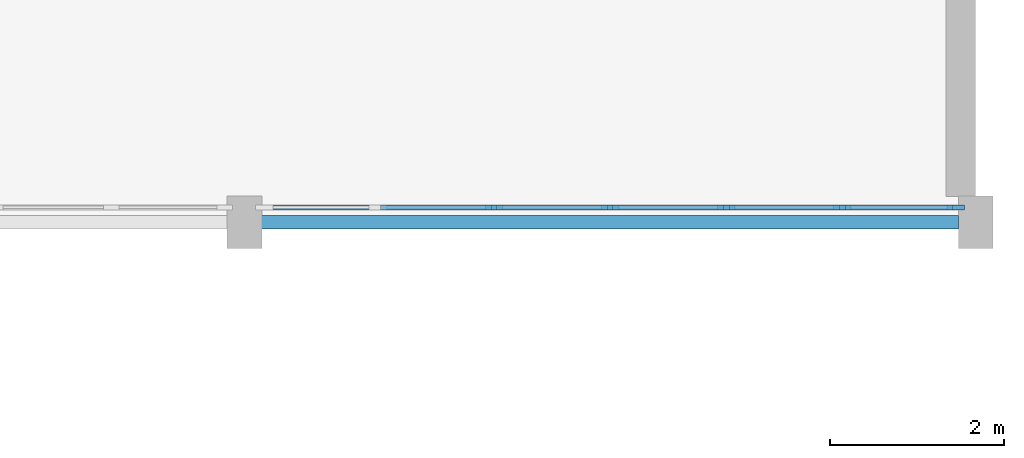
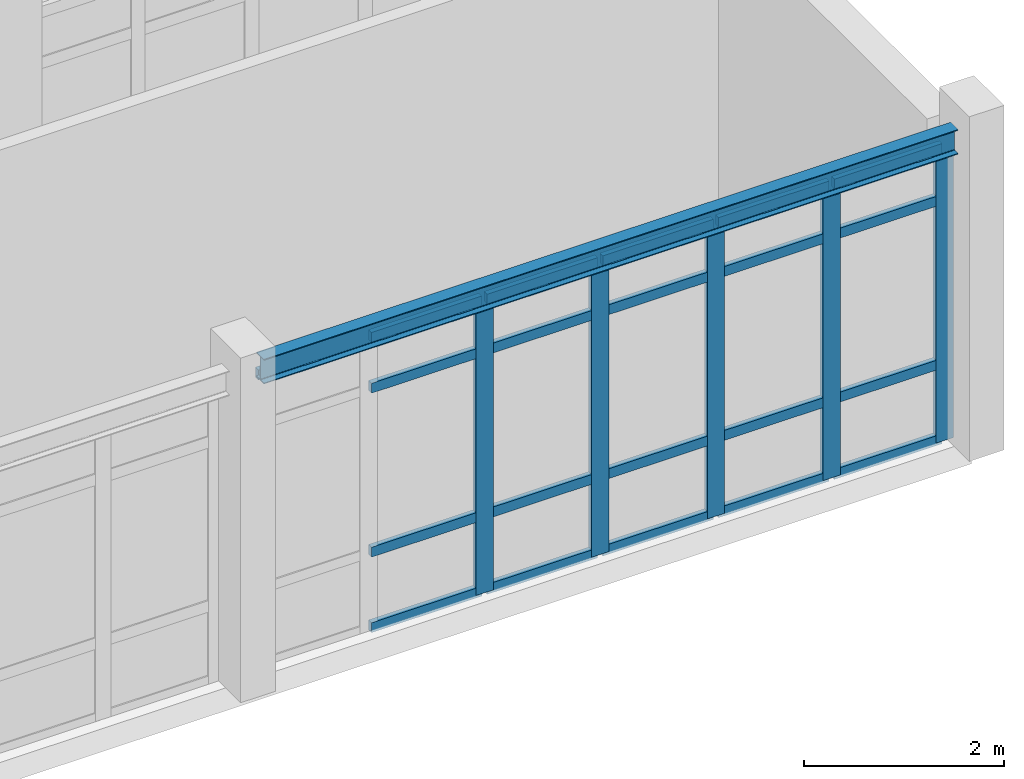
# One storey, part 82 of 147: 26 members, 1 beam, 1 element without a shape of its own.
"""IFC4 building model written with IfcOpenShell, lengths in metres."""

from ifc_helpers import new_model, si_unit, direction, frame, origin, origin_2d, place, context, subcontext, project, spatial, rectangle, i_section, extrude, material, material_profile, profile_set, type_object, element, aggregate, save


model = new_model("IFC4")

# Units and contexts
model_context = context("Model", 3, precision=1e-05, world=origin(), true_north=direction((0.0, 1.0)))
body_context = subcontext(model_context, "Body", "Model", "MODEL_VIEW")
ifc_project = project(units=[si_unit("LENGTHUNIT", "METRE"), si_unit("AREAUNIT", "SQUARE_METRE"), si_unit("VOLUMEUNIT", "CUBIC_METRE"), si_unit("PLANEANGLEUNIT", "RADIAN"), si_unit("MASSUNIT", "GRAM", prefix="KILO")], contexts=[model_context])

# Site, building, storey
site_placement = place(None, origin())
site = spatial("IfcSite", under=ifc_project, at=site_placement, CompositionType="ELEMENT")
building_placement = place(site_placement, origin())
building = spatial("IfcBuilding", under=site, at=building_placement, Name="Malvenik Polytechnic", CompositionType="ELEMENT")
storey_placement = place(building_placement, frame((0.0, 0.0, 5.10009765625)))
storey = spatial("IfcBuildingStorey", under=building, at=storey_placement, Name="L01", CompositionType="ELEMENT", Elevation=5.10009765625)

# Curtain wall, members
ifc_material_1 = material(Name="Anodised aluminium 6060-T6", Category="aluminium")
curtain_wall_type = type_object("IfcCurtainWallType", Name="ARC-CW-CW-02", PredefinedType="NOTDEFINED", material=ifc_material_1)
curtain_wall_placement = place(storey_placement, origin())
curtain_wall = element("IfcCurtainWall", 1, at=curtain_wall_placement, inside=storey, type_object=curtain_wall_type, Name="Unitised Curtain Wall CW-02 L01 #105", PredefinedType="NOTDEFINED")
ifc_material_2 = material(Name="Anodised aluminium", Category="aluminium")
ifc_material_profile_1 = material_profile(ifc_material_2, rectangle(XDim=0.06005859375, YDim=0.199951171875, at=origin_2d()), Name="ALU MULLION 60x200")
ifc_profile_set_1 = profile_set([ifc_material_profile_1], Name="Anodised aluminium")
member_type_1 = type_object("IfcMemberType", Name="ARC-CWM-200", PredefinedType="MULLION", material=ifc_profile_set_1)
member_1_placement = place(storey_placement, frame((184.572021484375, 28.969970703125, 0.0), z_axis=(0.0, 0.0, 1.0), x_axis=(0.0, -1.0, 0.0)))
member_1 = element("IfcMember", 2, at=member_1_placement, type_object=member_type_1, Name="CW-02 mullion 1", PredefinedType="MULLION", context=body_context, shape_type="SweptSolid", body=[
    extrude(rectangle(XDim=0.06005859375, YDim=0.199951171875, at=origin_2d()), origin(), (0.0, 0.0, 1.0), 3.597900390625),
])
member_2_placement = place(storey_placement, frame((183.26806640625, 28.969970703125, 0.0), z_axis=(0.0, 0.0, 1.0), x_axis=(0.0, -1.0, 0.0)))
member_2 = element("IfcMember", 3, at=member_2_placement, type_object=member_type_1, Name="CW-02 mullion 2", PredefinedType="MULLION", context=body_context, shape_type="SweptSolid", body=[
    extrude(rectangle(XDim=0.06005859375, YDim=0.199951171875, at=origin_2d()), origin(), (0.0, 0.0, 1.0), 3.597900390625),
])
member_3_placement = place(storey_placement, frame((181.93408203125, 28.969970703125, 0.0), z_axis=(0.0, 0.0, 1.0), x_axis=(0.0, -1.0, 0.0)))
member_3 = element("IfcMember", 4, at=member_3_placement, type_object=member_type_1, Name="CW-02 mullion 3", PredefinedType="MULLION", context=body_context, shape_type="SweptSolid", body=[
    extrude(rectangle(XDim=0.06005859375, YDim=0.199951171875, at=origin_2d()), origin(), (0.0, 0.0, 1.0), 3.597900390625),
])
member_4_placement = place(storey_placement, frame((180.60009765625, 28.969970703125, 0.0), z_axis=(0.0, 0.0, 1.0), x_axis=(0.0, -1.0, 0.0)))
member_4 = element("IfcMember", 5, at=member_4_placement, type_object=member_type_1, Name="CW-02 mullion 4", PredefinedType="MULLION", context=body_context, shape_type="SweptSolid", body=[
    extrude(rectangle(XDim=0.06005859375, YDim=0.199951171875, at=origin_2d()), origin(), (0.0, 0.0, 1.0), 3.597900390625),
])
member_5_placement = place(storey_placement, frame((179.26611328125, 28.969970703125, 0.0), z_axis=(0.0, 0.0, 1.0), x_axis=(0.0, -1.0, 0.0)))
member_5 = element("IfcMember", 6, at=member_5_placement, type_object=member_type_1, Name="CW-02 mullion 5", PredefinedType="MULLION", context=body_context, shape_type="SweptSolid", body=[
    extrude(rectangle(XDim=0.06005859375, YDim=0.199951171875, at=origin_2d()), origin(), (0.0, 0.0, 1.0), 3.597900390625),
])
ifc_material_profile_2 = material_profile(ifc_material_2, rectangle(XDim=0.06005859375, YDim=0.1201171875, at=origin_2d()), Name="ALU TRANSOM 60x120")
ifc_profile_set_2 = profile_set([ifc_material_profile_2], Name="Anodised aluminium")
member_type_2 = type_object("IfcMemberType", Name="ARC-CWT-120", PredefinedType="USERDEFINED", material=ifc_profile_set_2)
member_6_placement = place(storey_placement, frame((184.5419921875, 28.969970703125, 0.02978515625), z_axis=(-1.0, 0.0, 0.0), x_axis=(0.0, -1.0, 0.0)))
member_6 = element("IfcMember", 7, at=member_6_placement, type_object=member_type_2, Name="CW-02 transom 1.1", ObjectType="TRANSOM", PredefinedType="USERDEFINED", context=body_context, shape_type="SweptSolid", body=[
    extrude(rectangle(XDim=0.06005859375, YDim=0.1201171875, at=origin_2d()), origin(), (0.0, 0.0, 1.0), 1.243896484375),
])
member_7_placement = place(storey_placement, frame((184.5419921875, 28.969970703125, 0.949951171875), z_axis=(-1.0, 0.0, 0.0), x_axis=(0.0, -1.0, 0.0)))
member_7 = element("IfcMember", 8, at=member_7_placement, type_object=member_type_2, Name="CW-02 transom 1.2", ObjectType="TRANSOM", PredefinedType="USERDEFINED", context=body_context, shape_type="SweptSolid", body=[
    extrude(rectangle(XDim=0.06005859375, YDim=0.1201171875, at=origin_2d()), origin(), (0.0, 0.0, 1.0), 1.243896484375),
])
member_8_placement = place(storey_placement, frame((184.5419921875, 28.969970703125, 2.947998046875), z_axis=(-1.0, 0.0, 0.0), x_axis=(0.0, -1.0, 0.0)))
member_8 = element("IfcMember", 9, at=member_8_placement, type_object=member_type_2, Name="CW-02 transom 1.3", ObjectType="TRANSOM", PredefinedType="USERDEFINED", context=body_context, shape_type="SweptSolid", body=[
    extrude(rectangle(XDim=0.06005859375, YDim=0.1201171875, at=origin_2d()), origin(), (0.0, 0.0, 1.0), 1.243896484375),
])
member_9_placement = place(storey_placement, frame((184.5419921875, 28.969970703125, 3.56787109375), z_axis=(-1.0, 0.0, 0.0), x_axis=(0.0, -1.0, 0.0)))
member_9 = element("IfcMember", 10, at=member_9_placement, type_object=member_type_2, Name="CW-02 transom 1.4", ObjectType="TRANSOM", PredefinedType="USERDEFINED", context=body_context, shape_type="SweptSolid", body=[
    extrude(rectangle(XDim=0.06005859375, YDim=0.1201171875, at=origin_2d()), origin(), (0.0, 0.0, 1.0), 1.243896484375),
])
member_10_placement = place(storey_placement, frame((183.238037109375, 28.969970703125, 0.02978515625), z_axis=(-1.0, 0.0, 0.0), x_axis=(0.0, -1.0, 0.0)))
member_10 = element("IfcMember", 11, at=member_10_placement, type_object=member_type_2, Name="CW-02 transom 2.1", ObjectType="TRANSOM", PredefinedType="USERDEFINED", context=body_context, shape_type="SweptSolid", body=[
    extrude(rectangle(XDim=0.06005859375, YDim=0.1201171875, at=origin_2d()), origin(), (0.0, 0.0, 1.0), 1.27392578125),
])
member_11_placement = place(storey_placement, frame((183.238037109375, 28.969970703125, 0.949951171875), z_axis=(-1.0, 0.0, 0.0), x_axis=(0.0, -1.0, 0.0)))
member_11 = element("IfcMember", 12, at=member_11_placement, type_object=member_type_2, Name="CW-02 transom 2.2", ObjectType="TRANSOM", PredefinedType="USERDEFINED", context=body_context, shape_type="SweptSolid", body=[
    extrude(rectangle(XDim=0.06005859375, YDim=0.1201171875, at=origin_2d()), origin(), (0.0, 0.0, 1.0), 1.27392578125),
])
member_12_placement = place(storey_placement, frame((183.238037109375, 28.969970703125, 2.947998046875), z_axis=(-1.0, 0.0, 0.0), x_axis=(0.0, -1.0, 0.0)))
member_12 = element("IfcMember", 13, at=member_12_placement, type_object=member_type_2, Name="CW-02 transom 2.3", ObjectType="TRANSOM", PredefinedType="USERDEFINED", context=body_context, shape_type="SweptSolid", body=[
    extrude(rectangle(XDim=0.06005859375, YDim=0.1201171875, at=origin_2d()), origin(), (0.0, 0.0, 1.0), 1.27392578125),
])
member_13_placement = place(storey_placement, frame((183.238037109375, 28.969970703125, 3.56787109375), z_axis=(-1.0, 0.0, 0.0), x_axis=(0.0, -1.0, 0.0)))
member_13 = element("IfcMember", 14, at=member_13_placement, type_object=member_type_2, Name="CW-02 transom 2.4", ObjectType="TRANSOM", PredefinedType="USERDEFINED", context=body_context, shape_type="SweptSolid", body=[
    extrude(rectangle(XDim=0.06005859375, YDim=0.1201171875, at=origin_2d()), origin(), (0.0, 0.0, 1.0), 1.27392578125),
])
member_14_placement = place(storey_placement, frame((181.904052734375, 28.969970703125, 0.02978515625), z_axis=(-1.0, 0.0, 0.0), x_axis=(0.0, -1.0, 0.0)))
member_14 = element("IfcMember", 15, at=member_14_placement, type_object=member_type_2, Name="CW-02 transom 3.1", ObjectType="TRANSOM", PredefinedType="USERDEFINED", context=body_context, shape_type="SweptSolid", body=[
    extrude(rectangle(XDim=0.06005859375, YDim=0.1201171875, at=origin_2d()), origin(), (0.0, 0.0, 1.0), 1.274169921875),
])
member_15_placement = place(storey_placement, frame((181.904052734375, 28.969970703125, 0.949951171875), z_axis=(-1.0, 0.0, 0.0), x_axis=(0.0, -1.0, 0.0)))
member_15 = element("IfcMember", 16, at=member_15_placement, type_object=member_type_2, Name="CW-02 transom 3.2", ObjectType="TRANSOM", PredefinedType="USERDEFINED", context=body_context, shape_type="SweptSolid", body=[
    extrude(rectangle(XDim=0.06005859375, YDim=0.1201171875, at=origin_2d()), origin(), (0.0, 0.0, 1.0), 1.274169921875),
])
member_16_placement = place(storey_placement, frame((181.904052734375, 28.969970703125, 2.947998046875), z_axis=(-1.0, 0.0, 0.0), x_axis=(0.0, -1.0, 0.0)))
member_16 = element("IfcMember", 17, at=member_16_placement, type_object=member_type_2, Name="CW-02 transom 3.3", ObjectType="TRANSOM", PredefinedType="USERDEFINED", context=body_context, shape_type="SweptSolid", body=[
    extrude(rectangle(XDim=0.06005859375, YDim=0.1201171875, at=origin_2d()), origin(), (0.0, 0.0, 1.0), 1.274169921875),
])
member_17_placement = place(storey_placement, frame((181.904052734375, 28.969970703125, 3.56787109375), z_axis=(-1.0, 0.0, 0.0), x_axis=(0.0, -1.0, 0.0)))
member_17 = element("IfcMember", 18, at=member_17_placement, type_object=member_type_2, Name="CW-02 transom 3.4", ObjectType="TRANSOM", PredefinedType="USERDEFINED", context=body_context, shape_type="SweptSolid", body=[
    extrude(rectangle(XDim=0.06005859375, YDim=0.1201171875, at=origin_2d()), origin(), (0.0, 0.0, 1.0), 1.274169921875),
])
member_18_placement = place(storey_placement, frame((180.570068359375, 28.969970703125, 0.02978515625), z_axis=(-1.0, 0.0, 0.0), x_axis=(0.0, -1.0, 0.0)))
member_18 = element("IfcMember", 19, at=member_18_placement, type_object=member_type_2, Name="CW-02 transom 4.1", ObjectType="TRANSOM", PredefinedType="USERDEFINED", context=body_context, shape_type="SweptSolid", body=[
    extrude(rectangle(XDim=0.06005859375, YDim=0.1201171875, at=origin_2d()), origin(), (0.0, 0.0, 1.0), 1.274169921875),
])
member_19_placement = place(storey_placement, frame((180.570068359375, 28.969970703125, 0.949951171875), z_axis=(-1.0, 0.0, 0.0), x_axis=(0.0, -1.0, 0.0)))
member_19 = element("IfcMember", 20, at=member_19_placement, type_object=member_type_2, Name="CW-02 transom 4.2", ObjectType="TRANSOM", PredefinedType="USERDEFINED", context=body_context, shape_type="SweptSolid", body=[
    extrude(rectangle(XDim=0.06005859375, YDim=0.1201171875, at=origin_2d()), origin(), (0.0, 0.0, 1.0), 1.274169921875),
])
member_20_placement = place(storey_placement, frame((180.570068359375, 28.969970703125, 2.947998046875), z_axis=(-1.0, 0.0, 0.0), x_axis=(0.0, -1.0, 0.0)))
member_20 = element("IfcMember", 21, at=member_20_placement, type_object=member_type_2, Name="CW-02 transom 4.3", ObjectType="TRANSOM", PredefinedType="USERDEFINED", context=body_context, shape_type="SweptSolid", body=[
    extrude(rectangle(XDim=0.06005859375, YDim=0.1201171875, at=origin_2d()), origin(), (0.0, 0.0, 1.0), 1.274169921875),
])
member_21_placement = place(storey_placement, frame((180.570068359375, 28.969970703125, 3.56787109375), z_axis=(-1.0, 0.0, 0.0), x_axis=(0.0, -1.0, 0.0)))
member_21 = element("IfcMember", 22, at=member_21_placement, type_object=member_type_2, Name="CW-02 transom 4.4", ObjectType="TRANSOM", PredefinedType="USERDEFINED", context=body_context, shape_type="SweptSolid", body=[
    extrude(rectangle(XDim=0.06005859375, YDim=0.1201171875, at=origin_2d()), origin(), (0.0, 0.0, 1.0), 1.274169921875),
])
member_22_placement = place(storey_placement, frame((179.236083984375, 28.969970703125, 0.02978515625), z_axis=(-1.0, 0.0, 0.0), x_axis=(0.0, -1.0, 0.0)))
member_22 = element("IfcMember", 23, at=member_22_placement, type_object=member_type_2, Name="CW-02 transom 5.1", ObjectType="TRANSOM", PredefinedType="USERDEFINED", context=body_context, shape_type="SweptSolid", body=[
    extrude(rectangle(XDim=0.06005859375, YDim=0.1201171875, at=origin_2d()), origin(), (0.0, 0.0, 1.0), 1.274169921875),
])
member_23_placement = place(storey_placement, frame((179.236083984375, 28.969970703125, 0.949951171875), z_axis=(-1.0, 0.0, 0.0), x_axis=(0.0, -1.0, 0.0)))
member_23 = element("IfcMember", 24, at=member_23_placement, type_object=member_type_2, Name="CW-02 transom 5.2", ObjectType="TRANSOM", PredefinedType="USERDEFINED", context=body_context, shape_type="SweptSolid", body=[
    extrude(rectangle(XDim=0.06005859375, YDim=0.1201171875, at=origin_2d()), origin(), (0.0, 0.0, 1.0), 1.274169921875),
])
member_24_placement = place(storey_placement, frame((179.236083984375, 28.969970703125, 2.947998046875), z_axis=(-1.0, 0.0, 0.0), x_axis=(0.0, -1.0, 0.0)))
member_24 = element("IfcMember", 25, at=member_24_placement, type_object=member_type_2, Name="CW-02 transom 5.3", ObjectType="TRANSOM", PredefinedType="USERDEFINED", context=body_context, shape_type="SweptSolid", body=[
    extrude(rectangle(XDim=0.06005859375, YDim=0.1201171875, at=origin_2d()), origin(), (0.0, 0.0, 1.0), 1.274169921875),
])
member_25_placement = place(storey_placement, frame((179.236083984375, 28.969970703125, 3.56787109375), z_axis=(-1.0, 0.0, 0.0), x_axis=(0.0, -1.0, 0.0)))
member_25 = element("IfcMember", 26, at=member_25_placement, type_object=member_type_2, Name="CW-02 transom 5.4", ObjectType="TRANSOM", PredefinedType="USERDEFINED", context=body_context, shape_type="SweptSolid", body=[
    extrude(rectangle(XDim=0.06005859375, YDim=0.1201171875, at=origin_2d()), origin(), (0.0, 0.0, 1.0), 1.274169921875),
])
member_26_placement = place(storey_placement, frame((177.902099609375, 28.969970703125, 3.56787109375), z_axis=(-1.0, 0.0, 0.0), x_axis=(0.0, -1.0, 0.0)))
member_26 = element("IfcMember", 27, at=member_26_placement, type_object=member_type_2, Name="CW-02 transom 6.4", ObjectType="TRANSOM", PredefinedType="USERDEFINED", context=body_context, shape_type="SweptSolid", body=[
    extrude(rectangle(XDim=0.06005859375, YDim=0.1201171875, at=origin_2d()), origin(), (0.0, 0.0, 1.0), 1.244140625),
])
aggregate(curtain_wall, [member_1, member_2, member_3, member_4, member_5, member_6, member_7, member_8, member_9, member_10, member_11, member_12, member_13, member_14, member_15, member_16, member_17, member_18, member_19, member_20, member_21, member_22, member_23, member_24, member_25, member_26])

# Beam
ifc_material_3 = material(Name="Steel S355", Category="steel")
ifc_material_profile_3 = material_profile(ifc_material_3, i_section(OverallWidth=0.14990234375, OverallDepth=0.300048828125, WebThickness=0.007080078125, FlangeThickness=0.0107421875, FilletRadius=0.014892578125, at=origin_2d()), Name="IPE 300")
ifc_profile_set_3 = profile_set([ifc_material_profile_3], Name="Steel S355")
beam_type = type_object("IfcBeamType", Name="STR-BM-SB-09", PredefinedType="JOIST", material=ifc_profile_set_3)
beam_placement = place(storey_placement, frame((176.597900390625, 28.800048828125, 3.7578125), z_axis=(1.0, 0.0, 0.0), x_axis=(0.0, 1.0, 0.0)))
element("IfcBeam", 28, at=beam_placement, inside=storey, type_object=beam_type, Name="Beam SB-09 #6", PredefinedType="JOIST", context=body_context, shape_type="SweptSolid", body=[
    extrude(i_section(OverallWidth=0.14990234375, OverallDepth=0.300048828125, WebThickness=0.007080078125, FlangeThickness=0.0107421875, FilletRadius=0.014892578125, at=origin_2d()), origin(), (0.0, 0.0, 1.0), 8.004150390625),
])

save(model, "model.ifc")
